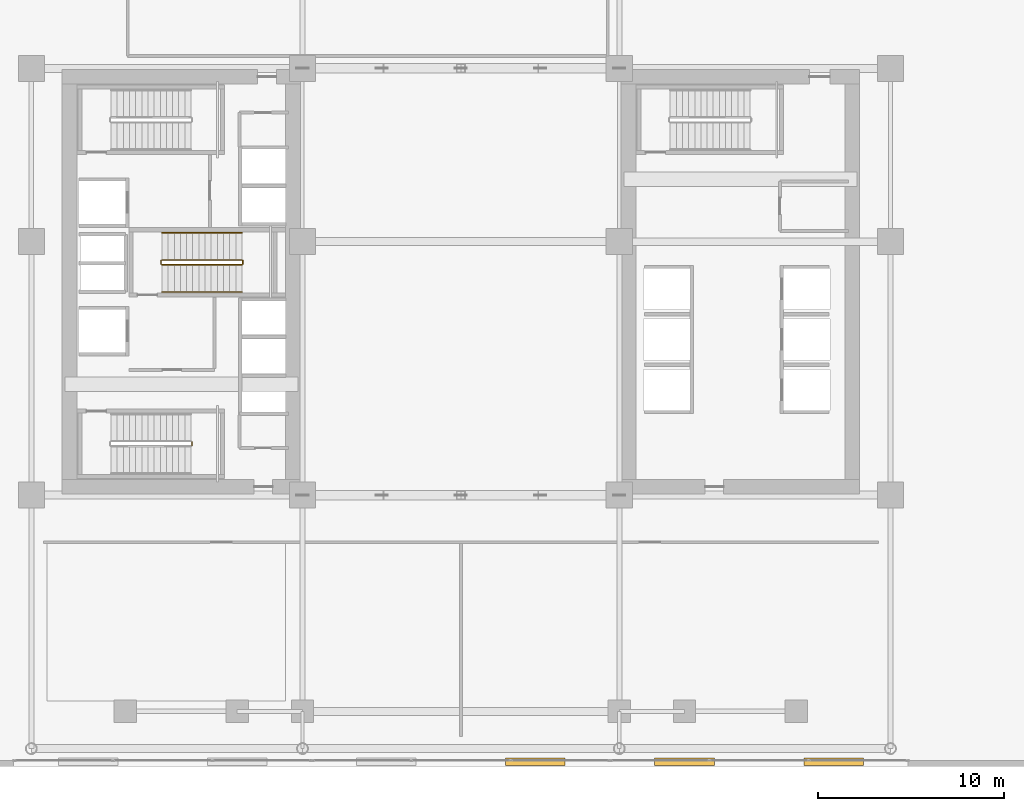
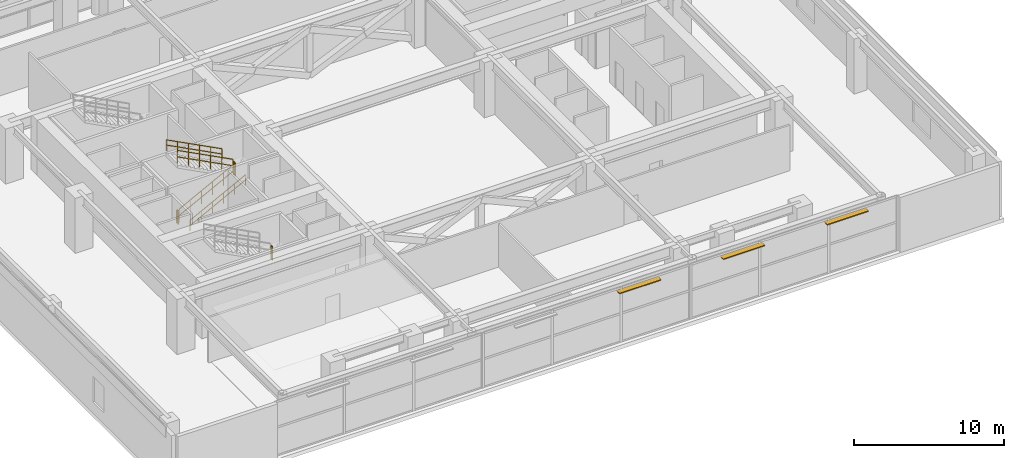
# One storey, part 25 of 28: 7 railings, 3 shading devices.
"""IFC4 building model written with IfcOpenShell, lengths in metres."""

from ifc_helpers import new_model, si_unit, direction, frame, origin, origin_2d, place, context, subcontext, project, spatial, rectangle, extrude, source, transform, mapped, material, type_object, element, save


model = new_model("IFC4")

# Units and contexts
model_context = context("Model", 3, precision=1e-05, world=origin(), true_north=direction((0.0, 1.0)))
body_context = subcontext(model_context, "Body", "Model", "MODEL_VIEW")
ifc_project = project(units=[si_unit("LENGTHUNIT", "METRE"), si_unit("AREAUNIT", "SQUARE_METRE"), si_unit("VOLUMEUNIT", "CUBIC_METRE"), si_unit("PLANEANGLEUNIT", "RADIAN"), si_unit("MASSUNIT", "GRAM", prefix="KILO")], contexts=[model_context])

# Site, building, storey
site_placement = place(None, origin())
site = spatial("IfcSite", under=ifc_project, at=site_placement, CompositionType="ELEMENT")
building_placement = place(site_placement, origin())
building = spatial("IfcBuilding", under=site, at=building_placement, Name="Ocotamira Hotel", CompositionType="ELEMENT")
storey_placement = place(building_placement, frame((0.0, 0.0, 24.0)))
storey = spatial("IfcBuildingStorey", under=building, at=storey_placement, Name="L05", CompositionType="ELEMENT", Elevation=24.0)

# Railings
ifc_material_1 = material(Name="Brushed stainless steel handrail", Category="steel")
railing_type_1 = type_object("IfcRailingType", Name="RL-HAND-900", PredefinedType="HANDRAIL", material=ifc_material_1)
railing_1_placement = place(storey_placement, frame((15.9599609375, 25.449951171875, 0.3427734375)))
element("IfcRailing", 1, at=railing_1_placement, inside=storey, type_object=railing_type_1, Name="L05 ST-3 stair handrail 1", PredefinedType="HANDRAIL", context=body_context, shape_type="SweptSolid", body=[
    extrude(rectangle(XDim=0.048095703125, YDim=0.048095703125, at=origin_2d()), frame((0.0, 0.0, 0.8759765625), z_axis=(0.887391199149, 0.0, 0.46101720106), x_axis=(0.0, 1.0, 0.0)), (0.0, 0.0, 1.0), 4.83447265625),
    extrude(rectangle(XDim=0.048095703125, YDim=0.048095703125, at=origin_2d()), frame((0.0, 0.0, 0.449951171875), z_axis=(0.887391199149, 0.0, 0.46101720106), x_axis=(0.0, 1.0, 0.0)), (0.0, 0.0, 1.0), 4.83447265625),
    extrude(rectangle(XDim=0.0419921875, YDim=0.0419921875, at=origin_2d()), origin(), (0.0, 0.0, 1.0), 0.851806640625),
    extrude(rectangle(XDim=0.0419921875, YDim=0.0419921875, at=origin_2d()), frame((0.85791015625, 0.0, 0.44580078125)), (0.0, 0.0, 1.0), 0.851806640625),
    extrude(rectangle(XDim=0.0419921875, YDim=0.0419921875, at=origin_2d()), frame((1.716064453125, 0.0, 0.8916015625)), (0.0, 0.0, 1.0), 0.851806640625),
    extrude(rectangle(XDim=0.0419921875, YDim=0.0419921875, at=origin_2d()), frame((2.573974609375, 0.0, 1.337158203125)), (0.0, 0.0, 1.0), 0.851806640625),
    extrude(rectangle(XDim=0.0419921875, YDim=0.0419921875, at=origin_2d()), frame((3.43212890625, 0.0, 1.782958984375)), (0.0, 0.0, 1.0), 0.851806640625),
    extrude(rectangle(XDim=0.0419921875, YDim=0.0419921875, at=origin_2d()), frame((4.2900390625, 0.0, 2.228759765625)), (0.0, 0.0, 1.0), 0.851806640625),
])
railing_2_placement = place(storey_placement, frame((20.25, 28.6298828125, 2.742919921875)))
element("IfcRailing", 2, at=railing_2_placement, inside=storey, type_object=railing_type_1, Name="L05 ST-3 stair handrail 2", PredefinedType="HANDRAIL", context=body_context, shape_type="SweptSolid", body=[
    extrude(rectangle(XDim=0.048095703125, YDim=0.048095703125, at=origin_2d()), frame((0.0, 0.0, 0.8759765625), z_axis=(-0.887411858541, 0.0, 0.46097743255), x_axis=(0.0, -1.0, 0.0)), (0.0, 0.0, 1.0), 4.834228515625),
    extrude(rectangle(XDim=0.048095703125, YDim=0.048095703125, at=origin_2d()), frame((0.0, 0.0, 0.449951171875), z_axis=(-0.887411858541, 0.0, 0.46097743255), x_axis=(0.0, -1.0, 0.0)), (0.0, 0.0, 1.0), 4.834228515625),
    extrude(rectangle(XDim=0.0419921875, YDim=0.0419921875, at=origin_2d()), origin(), (0.0, 0.0, 1.0), 0.851806640625),
    extrude(rectangle(XDim=0.0419921875, YDim=0.0419921875, at=origin_2d()), frame((-0.85791015625, 0.0, 0.44580078125)), (0.0, 0.0, 1.0), 0.851806640625),
    extrude(rectangle(XDim=0.0419921875, YDim=0.0419921875, at=origin_2d()), frame((-1.716064453125, 0.0, 0.891357421875)), (0.0, 0.0, 1.0), 0.851806640625),
    extrude(rectangle(XDim=0.0419921875, YDim=0.0419921875, at=origin_2d()), frame((-2.573974609375, 0.0, 1.337158203125)), (0.0, 0.0, 1.0), 0.851806640625),
    extrude(rectangle(XDim=0.0419921875, YDim=0.0419921875, at=origin_2d()), frame((-3.43212890625, 0.0, 1.78271484375)), (0.0, 0.0, 1.0), 0.851806640625),
    extrude(rectangle(XDim=0.0419921875, YDim=0.0419921875, at=origin_2d()), frame((-4.2900390625, 0.0, 2.228515625)), (0.0, 0.0, 1.0), 0.851806640625),
])
ifc_material_2 = material(Name="Painted steel stair guardrail", Category="steel")
railing_type_2 = type_object("IfcRailingType", Name="RL-STAIR-1100", PredefinedType="GUARDRAIL", material=ifc_material_2)
railing_3_placement = place(storey_placement, frame((17.570068359375, 17.22998046875, 2.39990234375)))
element("IfcRailing", 3, at=railing_3_placement, inside=storey, type_object=railing_type_2, Name="L05 ST-1 stair guard 2", PredefinedType="GUARDRAIL", context=body_context, shape_type="SweptSolid", body=[
    extrude(rectangle(XDim=0.048095703125, YDim=0.048095703125, at=origin_2d()), frame((0.0, 0.0, 1.076171875), z_axis=(0.0, 1.0, 0.0), x_axis=(-1.0, 0.0, 0.0)), (0.0, 0.0, 1.0), 0.159912109375),
    extrude(rectangle(XDim=0.048095703125, YDim=0.048095703125, at=origin_2d()), frame((0.0, 0.0, 0.550048828125), z_axis=(0.0, 1.0, 0.0), x_axis=(-1.0, 0.0, 0.0)), (0.0, 0.0, 1.0), 0.159912109375),
    extrude(rectangle(XDim=0.0419921875, YDim=0.0419921875, at=origin_2d()), origin(), (0.0, 0.0, 1.0), 1.052001953125),
    extrude(rectangle(XDim=0.0419921875, YDim=0.0419921875, at=origin_2d()), frame((0.0, 0.159912109375, 0.0)), (0.0, 0.0, 1.0), 1.052001953125),
])
railing_4_placement = place(storey_placement, frame((15.9599609375, 26.909912109375, 0.17138671875)))
element("IfcRailing", 4, at=railing_4_placement, inside=storey, type_object=railing_type_2, Name="L05 ST-3 stair guard 1", PredefinedType="GUARDRAIL", context=body_context, shape_type="SweptSolid", body=[
    extrude(rectangle(XDim=0.048095703125, YDim=0.048095703125, at=origin_2d()), frame((0.0, 0.0, 1.076171875), z_axis=(0.887411858541, 0.0, 0.46097743255), x_axis=(0.0, 1.0, 0.0)), (0.0, 0.0, 1.0), 4.834228515625),
    extrude(rectangle(XDim=0.048095703125, YDim=0.048095703125, at=origin_2d()), frame((0.0, 0.0, 0.550048828125), z_axis=(0.887411858541, 0.0, 0.46097743255), x_axis=(0.0, 1.0, 0.0)), (0.0, 0.0, 1.0), 4.834228515625),
    extrude(rectangle(XDim=0.0419921875, YDim=0.0419921875, at=origin_2d()), origin(), (0.0, 0.0, 1.0), 1.052001953125),
    extrude(rectangle(XDim=0.0419921875, YDim=0.0419921875, at=origin_2d()), frame((0.85791015625, 0.0, 0.44580078125)), (0.0, 0.0, 1.0), 1.052001953125),
    extrude(rectangle(XDim=0.0419921875, YDim=0.0419921875, at=origin_2d()), frame((1.716064453125, 0.0, 0.891357421875)), (0.0, 0.0, 1.0), 1.052001953125),
    extrude(rectangle(XDim=0.0419921875, YDim=0.0419921875, at=origin_2d()), frame((2.573974609375, 0.0, 1.337158203125)), (0.0, 0.0, 1.0), 1.052001953125),
    extrude(rectangle(XDim=0.0419921875, YDim=0.0419921875, at=origin_2d()), frame((3.43212890625, 0.0, 1.78271484375)), (0.0, 0.0, 1.0), 1.052001953125),
    extrude(rectangle(XDim=0.0419921875, YDim=0.0419921875, at=origin_2d()), frame((4.2900390625, 0.0, 2.228515625)), (0.0, 0.0, 1.0), 1.052001953125),
])
railing_5_placement = place(storey_placement, frame((20.300048828125, 26.9599609375, 2.39990234375)))
element("IfcRailing", 5, at=railing_5_placement, inside=storey, type_object=railing_type_2, Name="L05 ST-3 stair guard 2", PredefinedType="GUARDRAIL", context=body_context, shape_type="SweptSolid", body=[
    extrude(rectangle(XDim=0.048095703125, YDim=0.048095703125, at=origin_2d()), frame((0.0, 0.0, 1.076171875), z_axis=(0.0, 1.0, 0.0), x_axis=(-1.0, 0.0, 0.0)), (0.0, 0.0, 1.0), 0.16015625),
    extrude(rectangle(XDim=0.048095703125, YDim=0.048095703125, at=origin_2d()), frame((0.0, 0.0, 0.550048828125), z_axis=(0.0, 1.0, 0.0), x_axis=(-1.0, 0.0, 0.0)), (0.0, 0.0, 1.0), 0.16015625),
    extrude(rectangle(XDim=0.0419921875, YDim=0.0419921875, at=origin_2d()), origin(), (0.0, 0.0, 1.0), 1.052001953125),
    extrude(rectangle(XDim=0.0419921875, YDim=0.0419921875, at=origin_2d()), frame((0.0, 0.16015625, 0.0)), (0.0, 0.0, 1.0), 1.052001953125),
])
railing_6_placement = place(storey_placement, frame((20.25, 27.169921875, 2.571533203125)))
element("IfcRailing", 6, at=railing_6_placement, inside=storey, type_object=railing_type_2, Name="L05 ST-3 stair guard 3", PredefinedType="GUARDRAIL", context=body_context, shape_type="SweptSolid", body=[
    extrude(rectangle(XDim=0.048095703125, YDim=0.048095703125, at=origin_2d()), frame((0.0, 0.0, 1.076171875), z_axis=(-0.887411858541, 0.0, 0.46097743255), x_axis=(0.0, -1.0, 0.0)), (0.0, 0.0, 1.0), 4.834228515625),
    extrude(rectangle(XDim=0.048095703125, YDim=0.048095703125, at=origin_2d()), frame((0.0, 0.0, 0.550048828125), z_axis=(-0.887411858541, 0.0, 0.46097743255), x_axis=(0.0, -1.0, 0.0)), (0.0, 0.0, 1.0), 4.834228515625),
    extrude(rectangle(XDim=0.0419921875, YDim=0.0419921875, at=origin_2d()), origin(), (0.0, 0.0, 1.0), 1.052001953125),
    extrude(rectangle(XDim=0.0419921875, YDim=0.0419921875, at=origin_2d()), frame((-0.85791015625, 0.0, 0.44580078125)), (0.0, 0.0, 1.0), 1.052001953125),
    extrude(rectangle(XDim=0.0419921875, YDim=0.0419921875, at=origin_2d()), frame((-1.716064453125, 0.0, 0.891357421875)), (0.0, 0.0, 1.0), 1.052001953125),
    extrude(rectangle(XDim=0.0419921875, YDim=0.0419921875, at=origin_2d()), frame((-2.573974609375, 0.0, 1.337158203125)), (0.0, 0.0, 1.0), 1.052001953125),
    extrude(rectangle(XDim=0.0419921875, YDim=0.0419921875, at=origin_2d()), frame((-3.43212890625, 0.0, 1.78271484375)), (0.0, 0.0, 1.0), 1.052001953125),
    extrude(rectangle(XDim=0.0419921875, YDim=0.0419921875, at=origin_2d()), frame((-4.2900390625, 0.0, 2.228515625)), (0.0, 0.0, 1.0), 1.052001953125),
])
railing_7_placement = place(storey_placement, frame((15.909912109375, 26.9599609375, 0.0)))
element("IfcRailing", 7, at=railing_7_placement, inside=storey, type_object=railing_type_2, Name="L05 ST-3 stair guard 4", PredefinedType="GUARDRAIL", context=body_context, shape_type="SweptSolid", body=[
    extrude(rectangle(XDim=0.048095703125, YDim=0.048095703125, at=origin_2d()), frame((0.0, 0.0, 1.076171875), z_axis=(0.0, 1.0, 0.0), x_axis=(-1.0, 0.0, 0.0)), (0.0, 0.0, 1.0), 0.16015625),
    extrude(rectangle(XDim=0.048095703125, YDim=0.048095703125, at=origin_2d()), frame((0.0, 0.0, 0.550048828125), z_axis=(0.0, 1.0, 0.0), x_axis=(-1.0, 0.0, 0.0)), (0.0, 0.0, 1.0), 0.16015625),
    extrude(rectangle(XDim=0.0419921875, YDim=0.0419921875, at=origin_2d()), origin(), (0.0, 0.0, 1.0), 1.052001953125),
    extrude(rectangle(XDim=0.0419921875, YDim=0.0419921875, at=origin_2d()), frame((0.0, 0.16015625, 0.0)), (0.0, 0.0, 1.0), 1.052001953125),
])

# Shading devices
ifc_material_3 = material(Name="Pale-metal anodised aluminium solar louvre", Category="aluminium")
shading_device_type = type_object("IfcShadingDeviceType", Name="SHD-LOUV-400", PredefinedType="JALOUSIE", material=ifc_material_3)
shared_shape = source(origin(), body_context, "Body", "SweptSolid", [
    extrude(rectangle(XDim=3.199951171875, YDim=0.39990234375, at=origin_2d()), origin(), (0.0, 0.0, 1.0), 0.080078125),
])
for number, where, z_axis, x_axis, name in (
    (8, (36.0, 0.25, 4.139892578125), (0.0, 0.0, 1.0), (1.0, 0.0, 0.0), "L05 Podium Solar Louvre S4"),
    (9, (44.0, 0.25, 4.139892578125), (0.0, 0.0, 1.0), (1.0, 0.0, 0.0), "L05 Podium Solar Louvre S5"),
    (10, (52.0, 0.25, 4.139892578125), (0.0, 0.0, 1.0), (1.0, 0.0, 0.0), "L05 Podium Solar Louvre S6"),
):
    element("IfcShadingDevice", number, at=place(storey_placement, frame(where, z_axis=z_axis, x_axis=x_axis)), inside=storey, type_object=shading_device_type, Name=name, PredefinedType="JALOUSIE", context=body_context, shape_type="MappedRepresentation", body=[
        mapped(shared_shape, transform((0.0, 0.0, 0.0), scale=1.0)),
    ])

save(model, "model.ifc")
